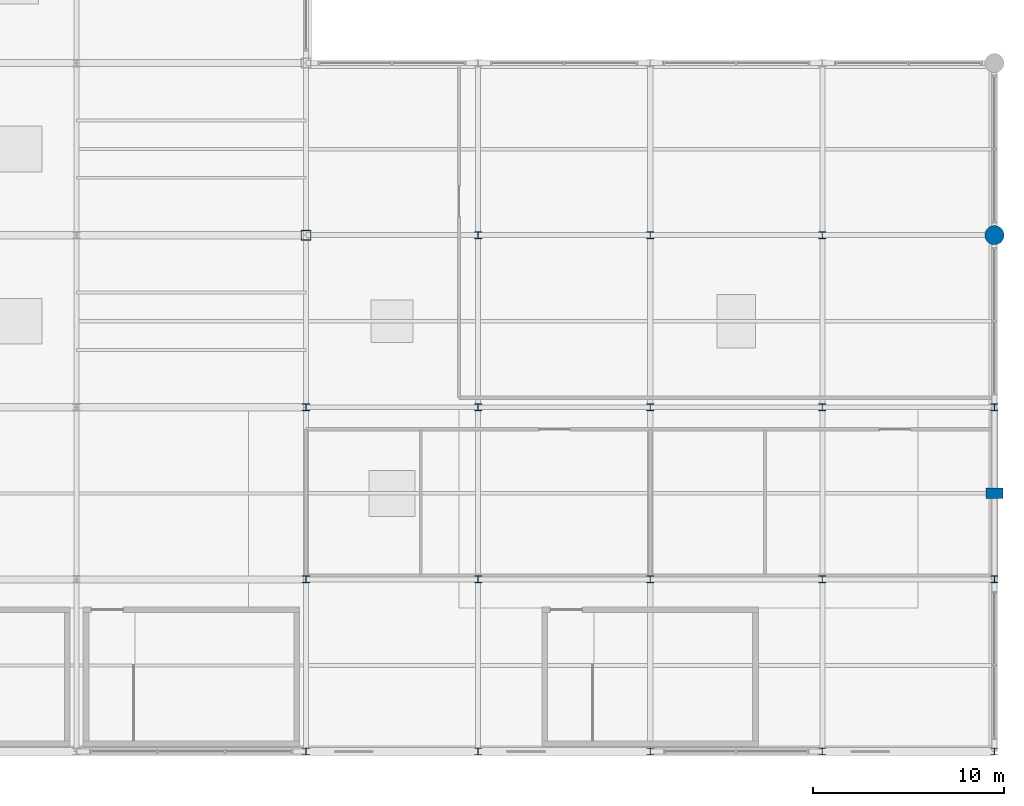
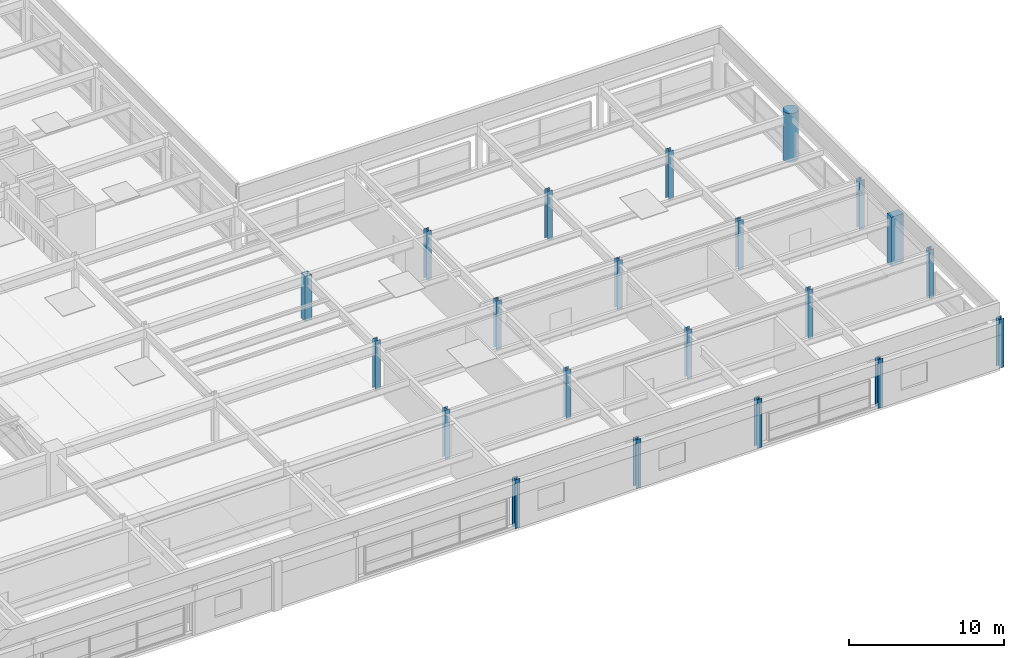
# One storey, part 15 of 108: 21 columns.
"""IFC4 building model written with IfcOpenShell, lengths in metres."""

import ifcopenshell
import ifcopenshell.guid

model = None  # the IFC model being written
_history = None  # IfcOwnerHistory: only IFC2X3 demands one
_inside = {}  # id of a spatial element -> (the spatial element, [elements in it])
_under = {}  # id of a project, library or spatial element -> (it, [spatial elements below it])
_declared = {}  # id of a project -> (the project, [libraries it declares])
_typed = {}  # id of a type object -> (the type object, [elements of that type])
_made_of = {}  # id of a material, layer set ... -> (it, [elements and type objects made of it])


def new_model(schema):
    """Start an empty IFC model of exactly this schema.

    Asked for "IFC4X3", IfcOpenShell would pick the latest addendum, in which some entities
    have other attributes; the version numbers below select the first issue.
    IFC2X3 requires an IfcOwnerHistory on every rooted entity: one is made here for all.
    """
    global model, _history
    if schema == "IFC4X3":
        model = ifcopenshell.file(schema_version=(4, 3, 0, 0))
    else:
        model = ifcopenshell.file(schema=schema)
    _inside.clear()
    _under.clear()
    _declared.clear()
    _typed.clear()
    _made_of.clear()
    _history = None
    if model.schema == "IFC2X3":
        org = make("IfcOrganization", Name="unknown")
        user = make(
            "IfcPersonAndOrganization",
            ThePerson=make("IfcPerson", FamilyName="unknown"),
            TheOrganization=org,
        )
        app = make(
            "IfcApplication",
            ApplicationDeveloper=org,
            Version="unknown",
            ApplicationFullName="unknown",
            ApplicationIdentifier="unknown",
        )
        _history = make(
            "IfcOwnerHistory",
            OwningUser=user,
            OwningApplication=app,
            ChangeAction="ADDED",
            CreationDate=0,
        )
    return model


def make(cls, **values):
    """One entity of the class cls with the attributes given. An attribute that is None is left unset."""
    return model.create_entity(
        cls, **{name: value for name, value in values.items() if value is not None}
    )


def rooted(cls, **values):
    """An entity with a GlobalId (a new one), such as an element, a storey or a relation."""
    return make(cls, GlobalId=ifcopenshell.guid.new(), OwnerHistory=_history, **values)


def si_unit(unit_type, name, prefix=None):
    """IfcSIUnit, for example si_unit("LENGTHUNIT", "METRE", prefix="MILLI")."""
    return make("IfcSIUnit", UnitType=unit_type, Prefix=prefix, Name=name)


def assignment(units):
    """IfcUnitAssignment: the units of a project."""
    return None if units is None else make("IfcUnitAssignment", Units=units)


def point(xyz):
    """IfcCartesianPoint."""
    return None if xyz is None else make("IfcCartesianPoint", Coordinates=xyz)


def direction(xyz):
    """IfcDirection."""
    return None if xyz is None else make("IfcDirection", DirectionRatios=xyz)


def frame(location, z_axis=None, x_axis=None):
    """IfcAxis2Placement3D, a coordinate frame: its origin and axes. An axis left out is left unset."""
    return make(
        "IfcAxis2Placement3D",
        Location=point(location),
        Axis=direction(z_axis),
        RefDirection=direction(x_axis),
    )


def frame_2d(location, x_axis=None):
    """IfcAxis2Placement2D, a coordinate frame in the plane: its origin and x axis."""
    return make(
        "IfcAxis2Placement2D", Location=point(location), RefDirection=direction(x_axis)
    )


def origin():
    """The frame at (0, 0, 0) with its axes left unset."""
    return frame((0.0, 0.0, 0.0))


def origin_2d():
    """The frame at (0, 0) in the plane with its x axis left unset."""
    return frame_2d((0.0, 0.0))


def place(relative_to, where):
    """IfcLocalPlacement: puts the frame where relative to a parent placement (None: the world)."""
    return make(
        "IfcLocalPlacement", PlacementRelTo=relative_to, RelativePlacement=where
    )


def context(
    kind, dimensions, precision=None, world=None, true_north=None, identifier=None
):
    """IfcGeometricRepresentationContext, for example the 3D "Model" context."""
    return make(
        "IfcGeometricRepresentationContext",
        ContextIdentifier=identifier,
        ContextType=kind,
        CoordinateSpaceDimension=dimensions,
        Precision=precision,
        WorldCoordinateSystem=world,
        TrueNorth=true_north,
    )


def subcontext(parent, identifier, kind, view, scale=None):
    """IfcGeometricRepresentationSubContext, for example "Body" below "Model"."""
    return make(
        "IfcGeometricRepresentationSubContext",
        ContextIdentifier=identifier,
        ContextType=kind,
        ParentContext=parent,
        TargetScale=scale,
        TargetView=view,
    )


def project(units=None, contexts=None):
    """IfcProject with its units and contexts."""
    return rooted(
        "IfcProject",
        Name="project",
        RepresentationContexts=contexts,
        UnitsInContext=assignment(units),
    )


def spatial(cls, under=None, at=None, **own):
    """A site, building, storey or space (cls), placed at a placement, below another one or the project."""
    s = rooted(cls, ObjectPlacement=at, **own)
    if under is not None:
        _under.setdefault(under.id(), (under, []))[1].append(s)
    return s


def profile(cls, at=None, kind="AREA", **sizes):
    """A parametric profile (cls). Its sizes go by their IFC names, for example OverallWidth=200.0."""
    return make(cls, ProfileType=kind, Position=at, **sizes)


def rectangle(**sizes):
    """IfcRectangleProfileDef."""
    return profile("IfcRectangleProfileDef", **sizes)


def hollow_rectangle(**sizes):
    """IfcRectangleHollowProfileDef."""
    return profile("IfcRectangleHollowProfileDef", **sizes)


def circle(**sizes):
    """IfcCircleProfileDef."""
    return profile("IfcCircleProfileDef", **sizes)


def i_section(**sizes):
    """IfcIShapeProfileDef."""
    return profile("IfcIShapeProfileDef", **sizes)


def extrude(swept, where, along, depth):
    """IfcExtrudedAreaSolid: the profile swept, set in the frame where, extruded along a direction by depth."""
    return make(
        "IfcExtrudedAreaSolid",
        SweptArea=swept,
        Position=where,
        ExtrudedDirection=direction(along),
        Depth=depth,
    )


def shape(context_of_items, identifier, shape_type, items):
    """IfcShapeRepresentation: the items that make up one representation, for example the "Body"."""
    return make(
        "IfcShapeRepresentation",
        ContextOfItems=context_of_items,
        RepresentationIdentifier=identifier,
        RepresentationType=shape_type,
        Items=items,
    )


def material(Name=None, Category=None):
    """IfcMaterial."""
    return make("IfcMaterial", Name=Name, Category=Category)


def material_profile(
    of_material, cross_section, Name=None, Category=None, Priority=None
):
    """IfcMaterialProfile: a cross section and its material."""
    return make(
        "IfcMaterialProfile",
        Name=Name,
        Material=of_material,
        Profile=cross_section,
        Priority=Priority,
        Category=Category,
    )


def profile_set(profiles, Name=None, composite=None):
    """IfcMaterialProfileSet."""
    return make(
        "IfcMaterialProfileSet",
        Name=Name,
        MaterialProfiles=profiles,
        CompositeProfile=composite,
    )


def made_of(thing, what):
    """Note that an element or type object is made of a material, layer set ...; save() writes the relation."""
    if what is not None:
        _made_of.setdefault(what.id(), (what, []))[1].append(thing)
    return thing


def type_object(cls, material=None, **own):
    """A type object (cls), such as IfcWallType, which elements share."""
    return made_of(rooted(cls, **own), material)


def element(
    cls,
    number,
    at=None,
    inside=None,
    cuts=None,
    type_object=None,
    material=None,
    context=None,
    identifier="Body",
    shape_type=None,
    held_by="IfcProductDefinitionShape",
    body=None,
    shapes=None,
    **own,
):
    """One element of the class cls, such as IfcWall. Its Tag is "e" and its number.

    at: its placement. inside: the storey or other place that contains it. cuts: it is an
    opening in that element (IfcRelVoidsElement). A single representation is given by context,
    identifier, shape_type and body (its items); several are given by shapes. held_by: the class
    of the entity that holds the representations. save() writes the other relations.
    """
    e = rooted(cls, Tag="e%d" % number, ObjectPlacement=at, **own)
    if body is not None:
        shapes = [shape(context, identifier, shape_type, body)]
    if shapes is not None:
        e.Representation = make(held_by, Representations=shapes)
    if inside is not None:
        _inside.setdefault(inside.id(), (inside, []))[1].append(e)
    if cuts is not None:
        rooted(
            "IfcRelVoidsElement", RelatingBuildingElement=cuts, RelatedOpeningElement=e
        )
    if type_object is not None:
        _typed.setdefault(type_object.id(), (type_object, []))[1].append(e)
    return made_of(e, material)


def aggregate(whole, parts):
    """IfcRelAggregates: a whole, such as a stair, and the parts it consists of."""
    return rooted("IfcRelAggregates", RelatingObject=whole, RelatedObjects=parts)


def save(model, path):
    """Write the relations noted so far, then the file.

    IfcRelAggregates (storeys below a building ...), IfcRelContainedInSpatialStructure (elements
    in a storey), IfcRelDefinesByType, IfcRelAssociatesMaterial and IfcRelDeclares: one each for
    every whole, place, type object, material and project.
    """
    for whole, parts in _under.values():
        aggregate(whole, parts)
    for where, things in _inside.values():
        rooted(
            "IfcRelContainedInSpatialStructure",
            RelatedElements=things,
            RelatingStructure=where,
        )
    for kind, things in _typed.values():
        rooted("IfcRelDefinesByType", RelatedObjects=things, RelatingType=kind)
    for what, things in _made_of.values():
        rooted("IfcRelAssociatesMaterial", RelatedObjects=things, RelatingMaterial=what)
    for by, libraries in _declared.values():
        rooted("IfcRelDeclares", RelatingContext=by, RelatedDefinitions=libraries)
    model.write(path)


model = new_model("IFC4")

# Units and contexts
model_context = context("Model", 3, precision=1e-05, world=origin(), true_north=direction((0.0, 1.0)))
body_context = subcontext(model_context, "Body", "Model", "MODEL_VIEW")
ifc_project = project(units=[si_unit("LENGTHUNIT", "METRE"), si_unit("AREAUNIT", "SQUARE_METRE"), si_unit("VOLUMEUNIT", "CUBIC_METRE"), si_unit("PLANEANGLEUNIT", "RADIAN"), si_unit("MASSUNIT", "GRAM", prefix="KILO")], contexts=[model_context])

# Site, building, storey
site_placement = place(None, origin())
site = spatial("IfcSite", under=ifc_project, at=site_placement, CompositionType="ELEMENT")
building_placement = place(site_placement, origin())
building = spatial("IfcBuilding", under=site, at=building_placement, Name="Kaldorvane Square Convention Centre", CompositionType="ELEMENT")
storey_placement = place(building_placement, frame((0.0, 0.0, 23.399993896484375)))
storey = spatial("IfcBuildingStorey", under=building, at=storey_placement, Name="L04", CompositionType="ELEMENT", Elevation=23.399993896484375)

# Columns
ifc_material_1 = material(Name="Steel ASTM A500 Gr. C", Category="steel")
ifc_material_profile_1 = material_profile(ifc_material_1, hollow_rectangle(XDim=0.50799560546875, YDim=0.50799560546875, WallThickness=0.014801025390625, at=origin_2d()), Name="HSS20X20X5/8")
ifc_profile_set_1 = profile_set([ifc_material_profile_1], Name="Steel ASTM A500 Gr. C")
column_type_1 = type_object("IfcColumnType", Name="COL-HSS-20", PredefinedType="COLUMN", material=ifc_profile_set_1)
column_1_placement = place(storey_placement, frame((138.0, 27.0, 0.0), z_axis=(0.0, 0.0, 1.0), x_axis=(1.0, 0.0, 0.0)))
element("IfcColumn", 1, at=column_1_placement, inside=storey, type_object=column_type_1, Name="Column SC-13 (L04)", PredefinedType="COLUMN", context=body_context, shape_type="SweptSolid", body=[
    extrude(hollow_rectangle(XDim=0.50799560546875, YDim=0.50799560546875, WallThickness=0.014801025390625, at=origin_2d()), origin(), (0.0, 0.0, 1.0), 3.529998779296875),
])
ifc_material_2 = material(Name="Concrete f'c = 55 MPa (Normalweight)", Category="concrete")
ifc_material_profile_2 = material_profile(ifc_material_2, circle(Radius=0.5, at=origin_2d()), Name="RC-D1000")
ifc_profile_set_2 = profile_set([ifc_material_profile_2], Name="Concrete f'c = 55 MPa (Normalweight)")
column_type_2 = type_object("IfcColumnType", Name="COL-RC-D1000", PredefinedType="COLUMN", material=ifc_profile_set_2)
column_2_placement = place(storey_placement, frame((174.0, 27.0, 0.0), z_axis=(0.0, 0.0, 1.0), x_axis=(1.0, 0.0, 0.0)))
element("IfcColumn", 2, at=column_2_placement, inside=storey, type_object=column_type_2, Name="Column CC-08 (L04)", PredefinedType="COLUMN", context=body_context, shape_type="SweptSolid", body=[
    extrude(circle(Radius=0.5, at=origin_2d()), origin(), (0.0, 0.0, 1.0), 3.850006103515625),
])
ifc_material_3 = material(Name="Steel ASTM A992 Gr. 50", Category="steel")
ifc_material_profile_3 = material_profile(ifc_material_3, i_section(OverallWidth=0.3701019287109375, OverallDepth=0.360198974609375, WebThickness=0.012298583984375, FlangeThickness=0.019805908203125, FilletRadius=0.0305023193359375, at=origin_2d()), Name="W14X99")
ifc_profile_set_3 = profile_set([ifc_material_profile_3], Name="Steel ASTM A992 Gr. 50")
column_type_3 = type_object("IfcColumnType", Name="COL-STL-99", PredefinedType="COLUMN", material=ifc_profile_set_3)
for number, where, z_axis, x_axis, name in (
    (3, (138.0, 0.0, 0.0), (0.0, 0.0, 1.0), (1.0, 0.0, 0.0), "Column SC-12 (L04)"),
    (4, (138.0, 9.0, 0.0), (0.0, 0.0, 1.0), (1.0, 0.0, 0.0), "Column SC-12 (L04)"),
    (5, (138.0, 18.0, 0.0), (0.0, 0.0, 1.0), (1.0, 0.0, 0.0), "Column SC-12 (L04)"),
    (6, (147.0, 0.0, 0.0), (0.0, 0.0, 1.0), (1.0, 0.0, 0.0), "Column SC-12 (L04)"),
    (7, (147.0, 9.0, 0.0), (0.0, 0.0, 1.0), (1.0, 0.0, 0.0), "Column SC-12 (L04)"),
    (8, (147.0, 18.0, 0.0), (0.0, 0.0, 1.0), (1.0, 0.0, 0.0), "Column SC-12 (L04)"),
    (9, (147.0, 27.0, 0.0), (0.0, 0.0, 1.0), (1.0, 0.0, 0.0), "Column SC-12 (L04)"),
    (10, (156.0, 0.0, 0.0), (0.0, 0.0, 1.0), (1.0, 0.0, 0.0), "Column SC-12 (L04)"),
    (11, (156.0, 9.0, 0.0), (0.0, 0.0, 1.0), (1.0, 0.0, 0.0), "Column SC-12 (L04)"),
    (12, (156.0, 18.0, 0.0), (0.0, 0.0, 1.0), (1.0, 0.0, 0.0), "Column SC-12 (L04)"),
    (13, (156.0, 27.0, 0.0), (0.0, 0.0, 1.0), (1.0, 0.0, 0.0), "Column SC-12 (L04)"),
    (14, (165.0, 0.0, 0.0), (0.0, 0.0, 1.0), (1.0, 0.0, 0.0), "Column SC-12 (L04)"),
    (15, (165.0, 9.0, 0.0), (0.0, 0.0, 1.0), (1.0, 0.0, 0.0), "Column SC-12 (L04)"),
    (16, (165.0, 18.0, 0.0), (0.0, 0.0, 1.0), (1.0, 0.0, 0.0), "Column SC-12 (L04)"),
    (17, (165.0, 27.0, 0.0), (0.0, 0.0, 1.0), (1.0, 0.0, 0.0), "Column SC-12 (L04)"),
    (18, (174.0, 0.0, 0.0), (0.0, 0.0, 1.0), (1.0, 0.0, 0.0), "Column SC-12 (L04)"),
    (19, (174.0, 9.0, 0.0), (0.0, 0.0, 1.0), (1.0, 0.0, 0.0), "Column SC-12 (L04)"),
    (20, (174.0, 18.0, 0.0), (0.0, 0.0, 1.0), (1.0, 0.0, 0.0), "Column SC-12 (L04)"),
):
    element("IfcColumn", number, at=place(storey_placement, frame(where, z_axis=z_axis, x_axis=x_axis)), inside=storey, type_object=column_type_3, Name=name, PredefinedType="COLUMN", context=body_context, shape_type="SweptSolid", body=[
        extrude(i_section(OverallWidth=0.3701019287109375, OverallDepth=0.360198974609375, WebThickness=0.012298583984375, FlangeThickness=0.019805908203125, FilletRadius=0.0305023193359375, at=origin_2d()), origin(), (0.0, 0.0, 1.0), 3.850006103515625),
    ])
ifc_material_4 = material(Name="Concrete f'c = 42 MPa (Normalweight)", Category="concrete")
ifc_material_profile_4 = material_profile(ifc_material_4, rectangle(XDim=0.5500030517578125, YDim=0.899993896484375, at=origin_2d()), Name="PIL900X550")
ifc_profile_set_4 = profile_set([ifc_material_profile_4], Name="Concrete f'c = 42 MPa (Normalweight)")
column_type_4 = type_object("IfcColumnType", Name="PIL-BRUT-900", PredefinedType="PILASTER", material=ifc_profile_set_4)
column_3_placement = place(storey_placement, frame((174.0, 13.5, 0.0), z_axis=(0.0, 0.0, 1.0), x_axis=(0.0, 1.0, 0.0)))
element("IfcColumn", 21, at=column_3_placement, inside=storey, type_object=column_type_4, Name="Brutalist Colonnade Pilaster (L04)", PredefinedType="PILASTER", context=body_context, shape_type="SweptSolid", body=[
    extrude(rectangle(XDim=0.5500030517578125, YDim=0.899993896484375, at=origin_2d()), origin(), (0.0, 0.0, 1.0), 3.850006103515625),
])

save(model, "model.ifc")
